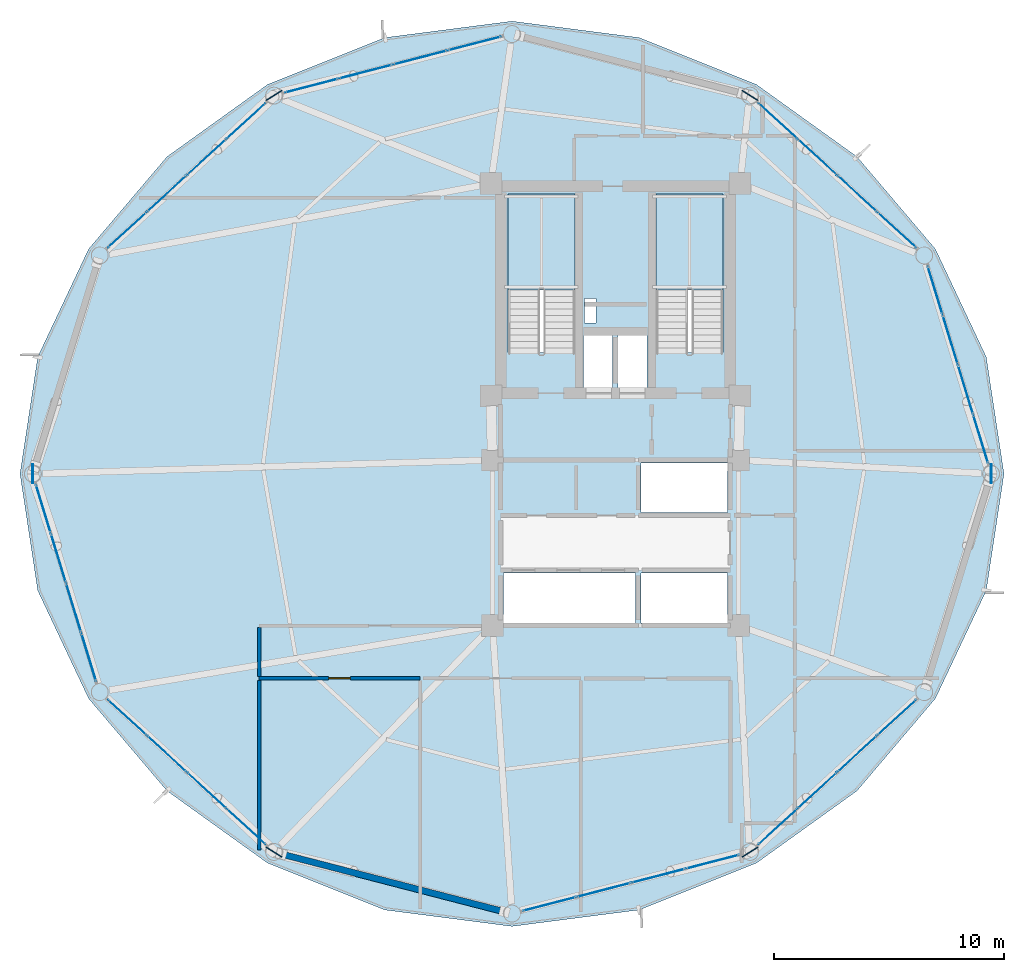
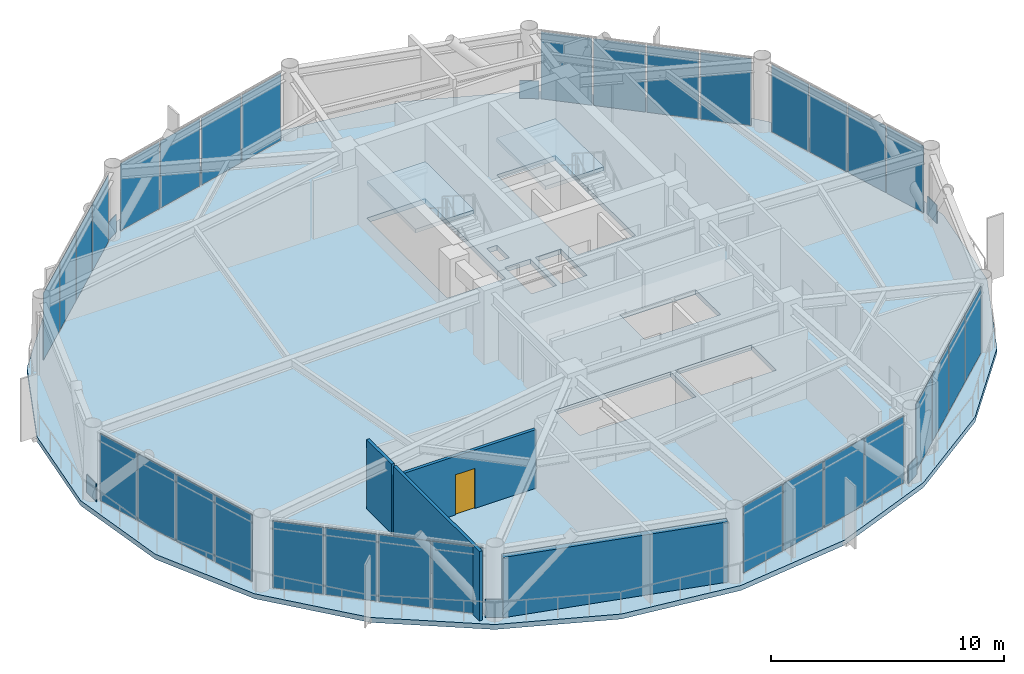
# One storey, part 20 of 25: 38 plates, 4 walls, 3 slabs, 1 door, 1 opening, 10 elements without a shape of their own.
"""IFC4 building model written with IfcOpenShell, lengths in metres."""

from ifc_helpers import new_model, si_unit, direction, frame, frame_2d, origin, origin_2d, place, context, subcontext, project, spatial, polyline, rectangle, outline, extrude, source, transform, mapped, material, layer, layer_set, type_object, type_shapes, element, fill, aggregate, save


model = new_model("IFC4")

# Units and contexts
model_context = context("Model", 3, precision=1e-05, world=origin(), true_north=direction((0.0, 1.0)))
body_context = subcontext(model_context, "Body", "Model", "MODEL_VIEW")
ifc_project = project(units=[si_unit("LENGTHUNIT", "METRE"), si_unit("AREAUNIT", "SQUARE_METRE"), si_unit("VOLUMEUNIT", "CUBIC_METRE"), si_unit("PLANEANGLEUNIT", "RADIAN"), si_unit("MASSUNIT", "GRAM", prefix="KILO")], contexts=[model_context])

# Site, building, storey
site_placement = place(None, origin())
site = spatial("IfcSite", under=ifc_project, at=site_placement, CompositionType="ELEMENT")
building_placement = place(site_placement, origin())
building = spatial("IfcBuilding", under=site, at=building_placement, Name="Varnakorn Sky Granary", CompositionType="ELEMENT")
storey_placement = place(building_placement, frame((0.0, 0.0, 146.10009765625)))
storey = spatial("IfcBuildingStorey", under=building, at=storey_placement, Name="L36", CompositionType="ELEMENT", Elevation=146.10009765625)

# Plates
ifc_material_1 = material(Name="Steel S460M", Category="steel")
ifc_layer_1 = layer(ifc_material_1, 0.0380859375, Name="Steel S460M")
ifc_layer_set_1 = layer_set([ifc_layer_1], Name="Steel S460M")
plate_type_1 = type_object("IfcPlateType", Name="PL-NODE-KN3", PredefinedType="SHEET", material=ifc_layer_set_1)
for number, where, z_axis, x_axis, name in (
    (1, (19.35009765625, 0.0, 0.0), (0.0, 0.0, 1.0), (0.0, 1.0, 0.0), "Diagrid Node Gusset Assembly KN3 L36-1"),
    (2, (8.857421875, 16.455322265625, 0.0), (0.0, 0.0, 1.0), (-0.846308068036, 0.532693771296, 0.0), "Diagrid Node Gusset Assembly KN3 L36-3"),
    (3, (-11.857421875, 16.455322265625, 0.0), (0.0, 0.0, 1.0), (-0.846308068036, -0.532693771296, 0.0), "Diagrid Node Gusset Assembly KN3 L36-5"),
    (4, (-22.35009765625, 0.0, 0.0), (0.0, 0.0, 1.0), (0.0, -1.0, 0.0), "Diagrid Node Gusset Assembly KN3 L36-7"),
    (5, (-11.857421875, -16.455322265625, 0.0), (0.0, 0.0, 1.0), (0.846308068036, -0.532693771296, 0.0), "Diagrid Node Gusset Assembly KN3 L36-9"),
    (6, (8.857421875, -16.455322265625, 0.0), (0.0, 0.0, 1.0), (0.846308068036, 0.532693771296, 0.0), "Diagrid Node Gusset Assembly KN3 L36-11"),
):
    element("IfcPlate", number, at=place(storey_placement, frame(where, z_axis=z_axis, x_axis=x_axis)), inside=storey, type_object=plate_type_1, Name=name, PredefinedType="SHEET", context=body_context, shape_type="SweptSolid", body=[
        extrude(rectangle(XDim=0.820068359375, YDim=0.0380859375, at=origin_2d()), origin(), (0.0, 0.0, 1.0), 0.93994140625),
    ])

# Stair, slab
ifc_material_2 = material(Name="Concrete C40/50", Category="concrete")
stair_type = type_object("IfcStairType", Name="ST-MAIN-ASSEMBLY", PredefinedType="HALF_TURN_STAIR", material=ifc_material_2)
stair_1_placement = place(storey_placement, origin())
stair_1 = element("IfcStair", 7, at=stair_1_placement, inside=storey, type_object=stair_type, Name="L36 Protected Exit Stair ST-1", PredefinedType="HALF_TURN_STAIR")
ifc_layer_2 = layer(ifc_material_2, 0.199951171875, Name="Concrete C40/50")
ifc_layer_set_2 = layer_set([ifc_layer_2], Name="Concrete C40/50")
slab_type_1 = type_object("IfcSlabType", Name="ST-MAIN-LAND", PredefinedType="LANDING", material=ifc_layer_set_2)
slab_1_placement = place(storey_placement, frame((0.0, 0.0, 1.75)))
slab_1 = element("IfcSlab", 8, at=slab_1_placement, type_object=slab_type_1, Name="ST-1 landing 1", PredefinedType="LANDING", context=body_context, shape_type="SweptSolid", body=[
    extrude(outline(polyline([(1.239990234375, 8.0), (1.239990234375, 12.179931640625), (-1.669921875, 12.179931640625), (-1.669921875, 8.0), (1.239990234375, 8.0)])), origin(), (0.0, 0.0, 1.0), 0.199951171875),
])
aggregate(stair_1, [slab_1])

stair_2_placement = place(storey_placement, origin())
stair_2 = element("IfcStair", 9, at=stair_2_placement, inside=storey, type_object=stair_type, Name="L36 Protected Exit Stair ST-2", PredefinedType="HALF_TURN_STAIR")
slab_2_placement = place(storey_placement, frame((0.0, 0.0, 1.75)))
slab_2 = element("IfcSlab", 10, at=slab_2_placement, type_object=slab_type_1, Name="ST-2 landing 1", PredefinedType="LANDING", context=body_context, shape_type="SweptSolid", body=[
    extrude(outline(polyline([(7.679931640625, 8.0), (7.679931640625, 12.179931640625), (4.77001953125, 12.179931640625), (4.77001953125, 8.0), (7.679931640625, 8.0)])), origin(), (0.0, 0.0, 1.0), 0.199951171875),
])
aggregate(stair_2, [slab_2])

# Slab
ifc_material_3 = material(Name="Concrete C50/60", Category="concrete")
ifc_layer_3 = layer(ifc_material_3, 0.260009765625, Name="Concrete C50/60")
ifc_layer_set_3 = layer_set([ifc_layer_3], Name="Concrete C50/60")
slab_type_2 = type_object("IfcSlabType", Name="ST-SL-TWR-260", PredefinedType="FLOOR", material=ifc_layer_set_3)
slab_3_placement = place(storey_placement, frame((0.0, 0.0, -0.260009765625)))
element("IfcSlab", 11, at=slab_3_placement, inside=storey, type_object=slab_type_2, Name="Level L36 Structural Floor Slab", PredefinedType="FLOOR", context=body_context, shape_type="SweptSolid", body=[
    extrude(outline(polyline([(19.89990234375, 0.0), (19.127197265625, 5.08349609375), (16.916015625, 9.775390625), (13.5048828125, 13.792724609375), (9.132568359375, 16.931640625), (4.027099609375, 18.9716796875), (-1.5, 19.68603515625), (-7.027099609375, 18.9716796875), (-12.132568359375, 16.931640625), (-16.5048828125, 13.792724609375), (-19.916015625, 9.775390625), (-22.127197265625, 5.08349609375), (-22.89990234375, 0.0), (-22.127197265625, -5.08349609375), (-19.916015625, -9.775390625), (-16.5048828125, -13.792724609375), (-12.132568359375, -16.931640625), (-7.027099609375, -18.9716796875), (-1.5, -19.68603515625), (4.027099609375, -18.9716796875), (9.132568359375, -16.931640625), (13.5048828125, -13.792724609375), (16.916015625, -9.775390625), (19.127197265625, -5.08349609375), (19.89990234375, 0.0)]), holes=[polyline([(1.239990234375, 5.27490234375), (1.239990234375, 12.179931640625), (-1.669921875, 12.179931640625), (-1.669921875, 5.27490234375), (1.239990234375, 5.27490234375)]), polyline([(7.679931640625, 5.27490234375), (7.679931640625, 12.179931640625), (4.77001953125, 12.179931640625), (4.77001953125, 5.27490234375), (7.679931640625, 5.27490234375)]), polyline([(1.659912109375, 6.550048828125), (2.14990234375, 6.550048828125), (2.14990234375, 7.6201171875), (1.659912109375, 7.6201171875), (1.659912109375, 6.550048828125)]), polyline([(1.6201171875, 3.739990234375), (2.8798828125, 3.739990234375), (2.8798828125, 6.010009765625), (1.6201171875, 6.010009765625), (1.6201171875, 3.739990234375)]), polyline([(3.1201171875, 3.739990234375), (4.3798828125, 3.739990234375), (4.3798828125, 6.010009765625), (3.1201171875, 6.010009765625), (3.1201171875, 3.739990234375)]), polyline([(4.1201171875, -1.679931640625), (7.8798828125, -1.679931640625), (7.8798828125, 0.47998046875), (4.1201171875, 0.47998046875), (4.1201171875, -1.679931640625)]), polyline([(-1.8798828125, -6.47998046875), (3.8798828125, -6.47998046875), (3.8798828125, -4.320068359375), (-1.8798828125, -4.320068359375), (-1.8798828125, -6.47998046875)]), polyline([(4.1201171875, -6.47998046875), (7.8798828125, -6.47998046875), (7.8798828125, -4.320068359375), (4.1201171875, -4.320068359375), (4.1201171875, -6.47998046875)])]), origin(), (0.0, 0.0, 1.0), 0.260009765625),
])

# Curtain wall, plates
ifc_material_4 = material(Name="Anodised Bronze Aluminium Alloy 6063-T6", Category="aluminium")
ifc_layer_4 = layer(ifc_material_4, 0.179931640625, Name="Anodised Bronze Aluminium Alloy 6063-T6")
ifc_layer_set_4 = layer_set([ifc_layer_4], Name="Anodised Bronze Aluminium Alloy 6063-T6")
curtain_wall_type = type_object("IfcCurtainWallType", Name="CW-FRM-2", PredefinedType="USERDEFINED", material=ifc_layer_set_4)
curtain_wall_1_placement = place(storey_placement, origin())
curtain_wall_1 = element("IfcCurtainWall", 12, at=curtain_wall_1_placement, inside=storey, type_object=curtain_wall_type, Name="Unitised Curtain Wall CW4 CW-L36-B01", ObjectType="CURTAIN WALL", PredefinedType="USERDEFINED")
ifc_material_5 = material(Name="Low-E Tinted Laminated Glass", Category="glass")
ifc_layer_5 = layer(ifc_material_5, 0.02587890625, Name="Low-E Tinted Laminated Glass")
ifc_layer_set_5 = layer_set([ifc_layer_5], Name="Low-E Tinted Laminated Glass")
plate_type_2 = type_object("IfcPlateType", Name="CW-FRM-2-PNL", PredefinedType="CURTAIN_PANEL")
shared_shape_1 = source(origin(), body_context, "Body", "SweptSolid", [
    extrude(rectangle(XDim=2.158447265625, YDim=0.02587890625, at=origin_2d()), origin(), (0.0, 0.0, 1.0), 3.510009765625),
])
plate_1_placement = place(storey_placement, frame((16.905517578125, 7.97998046875, 0.06494140625), z_axis=(0.0, 0.0, 1.0), x_axis=(0.29289273925, -0.956145304488, 0.0)))
plate_1 = element("IfcPlate", 13, at=plate_1_placement, type_object=plate_type_2, material=ifc_layer_set_5, Name="CW4 vision glazing unit 1.1", PredefinedType="CURTAIN_PANEL", context=body_context, shape_type="MappedRepresentation", body=[
    mapped(shared_shape_1, transform((0.0, 0.0, 0.0), x_axis=(1.0, 0.0, 0.0), y_axis=(0.0, 1.0, 0.0), z_axis=(0.0, 0.0, 1.0), scale=1.0)),
])
ifc_material_6 = material(Name="Opaque Insulated Aluminium Shadow-Box Unit", Category="aluminium")
ifc_layer_6 = layer(ifc_material_6, 0.02587890625, Name="Opaque Insulated Aluminium Shadow-Box Unit")
ifc_layer_set_6 = layer_set([ifc_layer_6], Name="Opaque Insulated Aluminium Shadow-Box Unit")
plate_2_placement = place(storey_placement, frame((18.88427734375, 1.5205078125, 0.06494140625), z_axis=(0.0, 0.0, 1.0), x_axis=(0.29289273925, -0.956145304488, 0.0)))
plate_2 = element("IfcPlate", 14, at=plate_2_placement, type_object=plate_type_2, material=ifc_layer_set_6, Name="CW4 opaque insulated shadow-box unit 4.1", PredefinedType="CURTAIN_PANEL", context=body_context, shape_type="MappedRepresentation", body=[
    mapped(shared_shape_1, transform((0.0, 0.0, 0.0), x_axis=(1.0, 0.0, 0.0), y_axis=(0.0, 1.0, 0.0), z_axis=(0.0, 0.0, 1.0), scale=1.0)),
])

curtain_wall_2_placement = place(storey_placement, origin())
curtain_wall_2 = element("IfcCurtainWall", 15, at=curtain_wall_2_placement, inside=storey, type_object=curtain_wall_type, Name="Unitised Curtain Wall CW4 CW-L36-B07", ObjectType="CURTAIN WALL", PredefinedType="USERDEFINED")
plate_3_placement = place(storey_placement, frame((-19.905517578125, -7.97998046875, 0.06494140625), z_axis=(0.0, 0.0, 1.0), x_axis=(-0.29289273925, 0.956145304488, 0.0)))
plate_3 = element("IfcPlate", 16, at=plate_3_placement, type_object=plate_type_2, material=ifc_layer_set_5, Name="CW4 vision glazing unit 1.1", PredefinedType="CURTAIN_PANEL", context=body_context, shape_type="MappedRepresentation", body=[
    mapped(shared_shape_1, transform((0.0, 0.0, 0.0), x_axis=(1.0, 0.0, 0.0), y_axis=(0.0, 1.0, 0.0), z_axis=(0.0, 0.0, 1.0), scale=1.0)),
])
plate_4_placement = place(storey_placement, frame((-21.88427734375, -1.5205078125, 0.06494140625), z_axis=(0.0, 0.0, 1.0), x_axis=(-0.29289273925, 0.956145304488, 0.0)))
plate_4 = element("IfcPlate", 17, at=plate_4_placement, type_object=plate_type_2, material=ifc_layer_set_6, Name="CW4 opaque insulated shadow-box unit 4.1", PredefinedType="CURTAIN_PANEL", context=body_context, shape_type="MappedRepresentation", body=[
    mapped(shared_shape_1, transform((0.0, 0.0, 0.0), x_axis=(1.0, 0.0, 0.0), y_axis=(0.0, 1.0, 0.0), z_axis=(0.0, 0.0, 1.0), scale=1.0)),
])

# Plate
shared_shape_2 = source(origin(), body_context, "Body", "SweptSolid", [
    extrude(rectangle(XDim=2.193603515625, YDim=0.02587890625, at=origin_2d()), origin(), (0.0, 0.0, 1.0), 3.510009765625),
])
plate_5_placement = place(storey_placement, frame((17.5634765625, 5.832275390625, 0.06494140625), z_axis=(0.0, 0.0, 1.0), x_axis=(0.29289273925, -0.956145304488, 0.0)))
plate_5 = element("IfcPlate", 18, at=plate_5_placement, type_object=plate_type_2, material=ifc_layer_set_5, Name="CW4 vision glazing unit 2.1", PredefinedType="CURTAIN_PANEL", context=body_context, shape_type="MappedRepresentation", body=[
    mapped(shared_shape_2, transform((0.0, 0.0, 0.0), x_axis=(1.0, 0.0, 0.0), y_axis=(0.0, 1.0, 0.0), z_axis=(0.0, 0.0, 1.0), scale=1.0)),
])

plate_6_placement = place(storey_placement, frame((18.226318359375, 3.668212890625, 0.06494140625), z_axis=(0.0, 0.0, 1.0), x_axis=(0.29289273925, -0.956145304488, 0.0)))
plate_6 = element("IfcPlate", 19, at=plate_6_placement, type_object=plate_type_2, material=ifc_layer_set_6, Name="CW4 opaque insulated shadow-box unit 3.1", PredefinedType="CURTAIN_PANEL", context=body_context, shape_type="MappedRepresentation", body=[
    mapped(shared_shape_2, transform((0.0, 0.0, 0.0), x_axis=(1.0, 0.0, 0.0), y_axis=(0.0, 1.0, 0.0), z_axis=(0.0, 0.0, 1.0), scale=1.0)),
])

aggregate(curtain_wall_1, [plate_1, plate_5, plate_6, plate_2])

plate_7_placement = place(storey_placement, frame((-20.5634765625, -5.832275390625, 0.06494140625), z_axis=(0.0, 0.0, 1.0), x_axis=(-0.29289273925, 0.956145304488, 0.0)))
plate_7 = element("IfcPlate", 20, at=plate_7_placement, type_object=plate_type_2, material=ifc_layer_set_5, Name="CW4 vision glazing unit 2.1", PredefinedType="CURTAIN_PANEL", context=body_context, shape_type="MappedRepresentation", body=[
    mapped(shared_shape_2, transform((0.0, 0.0, 0.0), x_axis=(1.0, 0.0, 0.0), y_axis=(0.0, 1.0, 0.0), z_axis=(0.0, 0.0, 1.0), scale=1.0)),
])

plate_8_placement = place(storey_placement, frame((-21.226318359375, -3.668212890625, 0.06494140625), z_axis=(0.0, 0.0, 1.0), x_axis=(-0.29289273925, 0.956145304488, 0.0)))
plate_8 = element("IfcPlate", 21, at=plate_8_placement, type_object=plate_type_2, material=ifc_layer_set_6, Name="CW4 opaque insulated shadow-box unit 3.1", PredefinedType="CURTAIN_PANEL", context=body_context, shape_type="MappedRepresentation", body=[
    mapped(shared_shape_2, transform((0.0, 0.0, 0.0), x_axis=(1.0, 0.0, 0.0), y_axis=(0.0, 1.0, 0.0), z_axis=(0.0, 0.0, 1.0), scale=1.0)),
])

aggregate(curtain_wall_2, [plate_3, plate_7, plate_8, plate_4])

# Curtain wall, plates
curtain_wall_3_placement = place(storey_placement, origin())
curtain_wall_3 = element("IfcCurtainWall", 22, at=curtain_wall_3_placement, inside=storey, type_object=curtain_wall_type, Name="Unitised Curtain Wall CW4 CW-L36-B02", ObjectType="CURTAIN WALL", PredefinedType="USERDEFINED")
shared_shape_3 = source(origin(), body_context, "Body", "SweptSolid", [
    extrude(rectangle(XDim=2.24658203125, YDim=0.02587890625, at=origin_2d()), origin(), (0.0, 0.0, 1.0), 3.510009765625),
])
plate_9_placement = place(storey_placement, frame((10.06201171875, 15.3505859375, 0.06494140625), z_axis=(0.0, 0.0, 1.0), x_axis=(0.736937879069, -0.675960473988, 0.0)))
plate_9 = element("IfcPlate", 23, at=plate_9_placement, type_object=plate_type_2, material=ifc_layer_set_6, Name="CW4 opaque insulated shadow-box unit 1.1", PredefinedType="CURTAIN_PANEL", context=body_context, shape_type="MappedRepresentation", body=[
    mapped(shared_shape_3, transform((0.0, 0.0, 0.0), x_axis=(1.0, 0.0, 0.0), y_axis=(0.0, 1.0, 0.0), z_axis=(0.0, 0.0, 1.0), scale=1.0)),
])
plate_10_placement = place(storey_placement, frame((15.2353515625, 10.605224609375, 0.06494140625), z_axis=(0.0, 0.0, 1.0), x_axis=(0.736937879069, -0.675960473988, 0.0)))
plate_10 = element("IfcPlate", 24, at=plate_10_placement, type_object=plate_type_2, material=ifc_layer_set_5, Name="CW4 vision glazing unit 4.1", PredefinedType="CURTAIN_PANEL", context=body_context, shape_type="MappedRepresentation", body=[
    mapped(shared_shape_3, transform((0.0, 0.0, 0.0), x_axis=(1.0, 0.0, 0.0), y_axis=(0.0, 1.0, 0.0), z_axis=(0.0, 0.0, 1.0), scale=1.0)),
])

curtain_wall_4_placement = place(storey_placement, origin())
curtain_wall_4 = element("IfcCurtainWall", 25, at=curtain_wall_4_placement, inside=storey, type_object=curtain_wall_type, Name="Unitised Curtain Wall CW4 CW-L36-B05", ObjectType="CURTAIN WALL", PredefinedType="USERDEFINED")
plate_11_placement = place(storey_placement, frame((-18.2353515625, 10.605224609375, 0.06494140625), z_axis=(0.0, 0.0, 1.0), x_axis=(0.736937879069, 0.675960473988, 0.0)))
plate_11 = element("IfcPlate", 26, at=plate_11_placement, type_object=plate_type_2, material=ifc_layer_set_5, Name="CW4 vision glazing unit 1.1", PredefinedType="CURTAIN_PANEL", context=body_context, shape_type="MappedRepresentation", body=[
    mapped(shared_shape_3, transform((0.0, 0.0, 0.0), x_axis=(1.0, 0.0, 0.0), y_axis=(0.0, 1.0, 0.0), z_axis=(0.0, 0.0, 1.0), scale=1.0)),
])
plate_12_placement = place(storey_placement, frame((-13.06201171875, 15.3505859375, 0.06494140625), z_axis=(0.0, 0.0, 1.0), x_axis=(0.736937879069, 0.675960473988, 0.0)))
plate_12 = element("IfcPlate", 27, at=plate_12_placement, type_object=plate_type_2, material=ifc_layer_set_6, Name="CW4 opaque insulated shadow-box unit 4.1", PredefinedType="CURTAIN_PANEL", context=body_context, shape_type="MappedRepresentation", body=[
    mapped(shared_shape_3, transform((0.0, 0.0, 0.0), x_axis=(1.0, 0.0, 0.0), y_axis=(0.0, 1.0, 0.0), z_axis=(0.0, 0.0, 1.0), scale=1.0)),
])

curtain_wall_5_placement = place(storey_placement, origin())
curtain_wall_5 = element("IfcCurtainWall", 28, at=curtain_wall_5_placement, inside=storey, type_object=curtain_wall_type, Name="Unitised Curtain Wall CW4 CW-L36-B08", ObjectType="CURTAIN WALL", PredefinedType="USERDEFINED")
plate_13_placement = place(storey_placement, frame((-13.06201171875, -15.3505859375, 0.06494140625), z_axis=(0.0, 0.0, 1.0), x_axis=(-0.736937879069, 0.675960473988, 0.0)))
plate_13 = element("IfcPlate", 29, at=plate_13_placement, type_object=plate_type_2, material=ifc_layer_set_6, Name="CW4 opaque insulated shadow-box unit 1.1", PredefinedType="CURTAIN_PANEL", context=body_context, shape_type="MappedRepresentation", body=[
    mapped(shared_shape_3, transform((0.0, 0.0, 0.0), x_axis=(1.0, 0.0, 0.0), y_axis=(0.0, 1.0, 0.0), z_axis=(0.0, 0.0, 1.0), scale=1.0)),
])
plate_14_placement = place(storey_placement, frame((-18.2353515625, -10.605224609375, 0.06494140625), z_axis=(0.0, 0.0, 1.0), x_axis=(-0.736937879069, 0.675960473988, 0.0)))
plate_14 = element("IfcPlate", 30, at=plate_14_placement, type_object=plate_type_2, material=ifc_layer_set_5, Name="CW4 vision glazing unit 4.1", PredefinedType="CURTAIN_PANEL", context=body_context, shape_type="MappedRepresentation", body=[
    mapped(shared_shape_3, transform((0.0, 0.0, 0.0), x_axis=(1.0, 0.0, 0.0), y_axis=(0.0, 1.0, 0.0), z_axis=(0.0, 0.0, 1.0), scale=1.0)),
])

curtain_wall_6_placement = place(storey_placement, origin())
curtain_wall_6 = element("IfcCurtainWall", 31, at=curtain_wall_6_placement, inside=storey, type_object=curtain_wall_type, Name="Unitised Curtain Wall CW4 CW-L36-B11", ObjectType="CURTAIN WALL", PredefinedType="USERDEFINED")
plate_15_placement = place(storey_placement, frame((15.2353515625, -10.605224609375, 0.06494140625), z_axis=(0.0, 0.0, 1.0), x_axis=(-0.736937879069, -0.675960473988, 0.0)))
plate_15 = element("IfcPlate", 32, at=plate_15_placement, type_object=plate_type_2, material=ifc_layer_set_5, Name="CW4 vision glazing unit 1.1", PredefinedType="CURTAIN_PANEL", context=body_context, shape_type="MappedRepresentation", body=[
    mapped(shared_shape_3, transform((0.0, 0.0, 0.0), x_axis=(1.0, 0.0, 0.0), y_axis=(0.0, 1.0, 0.0), z_axis=(0.0, 0.0, 1.0), scale=1.0)),
])
plate_16_placement = place(storey_placement, frame((10.06201171875, -15.3505859375, 0.06494140625), z_axis=(0.0, 0.0, 1.0), x_axis=(-0.736937879069, -0.675960473988, 0.0)))
plate_16 = element("IfcPlate", 33, at=plate_16_placement, type_object=plate_type_2, material=ifc_layer_set_6, Name="CW4 opaque insulated shadow-box unit 4.1", PredefinedType="CURTAIN_PANEL", context=body_context, shape_type="MappedRepresentation", body=[
    mapped(shared_shape_3, transform((0.0, 0.0, 0.0), x_axis=(1.0, 0.0, 0.0), y_axis=(0.0, 1.0, 0.0), z_axis=(0.0, 0.0, 1.0), scale=1.0)),
])

# Plate
shared_shape_4 = source(origin(), body_context, "Body", "SweptSolid", [
    extrude(rectangle(XDim=2.28173828125, YDim=0.02587890625, at=origin_2d()), origin(), (0.0, 0.0, 1.0), 3.510009765625),
])
plate_17_placement = place(storey_placement, frame((11.781982421875, 13.772705078125, 0.06494140625), z_axis=(0.0, 0.0, 1.0), x_axis=(0.736937879069, -0.675960473988, 0.0)))
plate_17 = element("IfcPlate", 34, at=plate_17_placement, type_object=plate_type_2, material=ifc_layer_set_6, Name="CW4 opaque insulated shadow-box unit 2.1", PredefinedType="CURTAIN_PANEL", context=body_context, shape_type="MappedRepresentation", body=[
    mapped(shared_shape_4, transform((0.0, 0.0, 0.0), x_axis=(1.0, 0.0, 0.0), y_axis=(0.0, 1.0, 0.0), z_axis=(0.0, 0.0, 1.0), scale=1.0)),
])

plate_18_placement = place(storey_placement, frame((13.51513671875, 12.18310546875, 0.06494140625), z_axis=(0.0, 0.0, 1.0), x_axis=(0.736937879069, -0.675960473988, 0.0)))
plate_18 = element("IfcPlate", 35, at=plate_18_placement, type_object=plate_type_2, material=ifc_layer_set_5, Name="CW4 vision glazing unit 3.1", PredefinedType="CURTAIN_PANEL", context=body_context, shape_type="MappedRepresentation", body=[
    mapped(shared_shape_4, transform((0.0, 0.0, 0.0), x_axis=(1.0, 0.0, 0.0), y_axis=(0.0, 1.0, 0.0), z_axis=(0.0, 0.0, 1.0), scale=1.0)),
])

aggregate(curtain_wall_3, [plate_9, plate_17, plate_18, plate_10])

plate_19_placement = place(storey_placement, frame((-16.51513671875, 12.18310546875, 0.06494140625), z_axis=(0.0, 0.0, 1.0), x_axis=(0.736937879069, 0.675960473988, 0.0)))
plate_19 = element("IfcPlate", 36, at=plate_19_placement, type_object=plate_type_2, material=ifc_layer_set_5, Name="CW4 vision glazing unit 2.1", PredefinedType="CURTAIN_PANEL", context=body_context, shape_type="MappedRepresentation", body=[
    mapped(shared_shape_4, transform((0.0, 0.0, 0.0), x_axis=(1.0, 0.0, 0.0), y_axis=(0.0, 1.0, 0.0), z_axis=(0.0, 0.0, 1.0), scale=1.0)),
])

plate_20_placement = place(storey_placement, frame((-14.781982421875, 13.772705078125, 0.06494140625), z_axis=(0.0, 0.0, 1.0), x_axis=(0.736937879069, 0.675960473988, 0.0)))
plate_20 = element("IfcPlate", 37, at=plate_20_placement, type_object=plate_type_2, material=ifc_layer_set_6, Name="CW4 opaque insulated shadow-box unit 3.1", PredefinedType="CURTAIN_PANEL", context=body_context, shape_type="MappedRepresentation", body=[
    mapped(shared_shape_4, transform((0.0, 0.0, 0.0), x_axis=(1.0, 0.0, 0.0), y_axis=(0.0, 1.0, 0.0), z_axis=(0.0, 0.0, 1.0), scale=1.0)),
])

aggregate(curtain_wall_4, [plate_11, plate_19, plate_20, plate_12])

plate_21_placement = place(storey_placement, frame((-14.781982421875, -13.772705078125, 0.06494140625), z_axis=(0.0, 0.0, 1.0), x_axis=(-0.736937879069, 0.675960473988, 0.0)))
plate_21 = element("IfcPlate", 38, at=plate_21_placement, type_object=plate_type_2, material=ifc_layer_set_6, Name="CW4 opaque insulated shadow-box unit 2.1", PredefinedType="CURTAIN_PANEL", context=body_context, shape_type="MappedRepresentation", body=[
    mapped(shared_shape_4, transform((0.0, 0.0, 0.0), x_axis=(1.0, 0.0, 0.0), y_axis=(0.0, 1.0, 0.0), z_axis=(0.0, 0.0, 1.0), scale=1.0)),
])

plate_22_placement = place(storey_placement, frame((-16.51513671875, -12.18310546875, 0.06494140625), z_axis=(0.0, 0.0, 1.0), x_axis=(-0.736937879069, 0.675960473988, 0.0)))
plate_22 = element("IfcPlate", 39, at=plate_22_placement, type_object=plate_type_2, material=ifc_layer_set_5, Name="CW4 vision glazing unit 3.1", PredefinedType="CURTAIN_PANEL", context=body_context, shape_type="MappedRepresentation", body=[
    mapped(shared_shape_4, transform((0.0, 0.0, 0.0), x_axis=(1.0, 0.0, 0.0), y_axis=(0.0, 1.0, 0.0), z_axis=(0.0, 0.0, 1.0), scale=1.0)),
])

aggregate(curtain_wall_5, [plate_13, plate_21, plate_22, plate_14])

plate_23_placement = place(storey_placement, frame((13.51513671875, -12.18310546875, 0.06494140625), z_axis=(0.0, 0.0, 1.0), x_axis=(-0.736937879069, -0.675960473988, 0.0)))
plate_23 = element("IfcPlate", 40, at=plate_23_placement, type_object=plate_type_2, material=ifc_layer_set_5, Name="CW4 vision glazing unit 2.1", PredefinedType="CURTAIN_PANEL", context=body_context, shape_type="MappedRepresentation", body=[
    mapped(shared_shape_4, transform((0.0, 0.0, 0.0), x_axis=(1.0, 0.0, 0.0), y_axis=(0.0, 1.0, 0.0), z_axis=(0.0, 0.0, 1.0), scale=1.0)),
])

plate_24_placement = place(storey_placement, frame((11.781982421875, -13.772705078125, 0.06494140625), z_axis=(0.0, 0.0, 1.0), x_axis=(-0.736937879069, -0.675960473988, 0.0)))
plate_24 = element("IfcPlate", 41, at=plate_24_placement, type_object=plate_type_2, material=ifc_layer_set_6, Name="CW4 opaque insulated shadow-box unit 3.1", PredefinedType="CURTAIN_PANEL", context=body_context, shape_type="MappedRepresentation", body=[
    mapped(shared_shape_4, transform((0.0, 0.0, 0.0), x_axis=(1.0, 0.0, 0.0), y_axis=(0.0, 1.0, 0.0), z_axis=(0.0, 0.0, 1.0), scale=1.0)),
])

aggregate(curtain_wall_6, [plate_15, plate_23, plate_24, plate_16])

# Curtain wall, plates
curtain_wall_7_placement = place(storey_placement, origin())
curtain_wall_7 = element("IfcCurtainWall", 42, at=curtain_wall_7_placement, inside=storey, type_object=curtain_wall_type, Name="Unitised Curtain Wall CW4 CW-L36-B04", ObjectType="CURTAIN WALL", PredefinedType="USERDEFINED")
shared_shape_5 = source(origin(), body_context, "Body", "SweptSolid", [
    extrude(rectangle(XDim=2.34912109375, YDim=0.02587890625, at=origin_2d()), origin(), (0.0, 0.0, 1.0), 3.510009765625),
])
plate_25_placement = place(storey_placement, frame((-10.2255859375, 16.877685546875, 0.06494140625), z_axis=(0.0, 0.0, 1.0), x_axis=(0.968101298653, 0.250559125851, 0.0)))
plate_25 = element("IfcPlate", 43, at=plate_25_placement, type_object=plate_type_2, material=ifc_layer_set_6, Name="CW4 opaque insulated shadow-box unit 1.1", PredefinedType="CURTAIN_PANEL", context=body_context, shape_type="MappedRepresentation", body=[
    mapped(shared_shape_5, transform((0.0, 0.0, 0.0), x_axis=(1.0, 0.0, 0.0), y_axis=(0.0, 1.0, 0.0), z_axis=(0.0, 0.0, 1.0), scale=1.0)),
])
plate_26_placement = place(storey_placement, frame((-3.1318359375, 18.713623046875, 0.06494140625), z_axis=(0.0, 0.0, 1.0), x_axis=(0.968101298653, 0.250559125851, 0.0)))
plate_26 = element("IfcPlate", 44, at=plate_26_placement, type_object=plate_type_2, material=ifc_layer_set_5, Name="CW4 vision glazing unit 4.1", PredefinedType="CURTAIN_PANEL", context=body_context, shape_type="MappedRepresentation", body=[
    mapped(shared_shape_5, transform((0.0, 0.0, 0.0), x_axis=(1.0, 0.0, 0.0), y_axis=(0.0, 1.0, 0.0), z_axis=(0.0, 0.0, 1.0), scale=1.0)),
])

curtain_wall_8_placement = place(storey_placement, origin())
curtain_wall_8 = element("IfcCurtainWall", 45, at=curtain_wall_8_placement, inside=storey, type_object=curtain_wall_type, Name="Unitised Curtain Wall CW4 CW-L36-B10", ObjectType="CURTAIN WALL", PredefinedType="USERDEFINED")
plate_27_placement = place(storey_placement, frame((7.2255859375, -16.877685546875, 0.06494140625), z_axis=(0.0, 0.0, 1.0), x_axis=(-0.968101298653, -0.250559125851, 0.0)))
plate_27 = element("IfcPlate", 46, at=plate_27_placement, type_object=plate_type_2, material=ifc_layer_set_6, Name="CW4 opaque insulated shadow-box unit 1.1", PredefinedType="CURTAIN_PANEL", context=body_context, shape_type="MappedRepresentation", body=[
    mapped(shared_shape_5, transform((0.0, 0.0, 0.0), x_axis=(1.0, 0.0, 0.0), y_axis=(0.0, 1.0, 0.0), z_axis=(0.0, 0.0, 1.0), scale=1.0)),
])
plate_28_placement = place(storey_placement, frame((0.1318359375, -18.713623046875, 0.06494140625), z_axis=(0.0, 0.0, 1.0), x_axis=(-0.968101298653, -0.250559125851, 0.0)))
plate_28 = element("IfcPlate", 47, at=plate_28_placement, type_object=plate_type_2, material=ifc_layer_set_5, Name="CW4 vision glazing unit 4.1", PredefinedType="CURTAIN_PANEL", context=body_context, shape_type="MappedRepresentation", body=[
    mapped(shared_shape_5, transform((0.0, 0.0, 0.0), x_axis=(1.0, 0.0, 0.0), y_axis=(0.0, 1.0, 0.0), z_axis=(0.0, 0.0, 1.0), scale=1.0)),
])

# Plate
shared_shape_6 = source(origin(), body_context, "Body", "SweptSolid", [
    extrude(rectangle(XDim=2.38427734375, YDim=0.02587890625, at=origin_2d()), origin(), (0.0, 0.0, 1.0), 3.510009765625),
])
type_shapes(plate_type_2, [shared_shape_1, shared_shape_2, shared_shape_3, shared_shape_4, shared_shape_5, shared_shape_6])
plate_29_placement = place(storey_placement, frame((-7.86669921875, 17.48828125, 0.06494140625), z_axis=(0.0, 0.0, 1.0), x_axis=(0.968101298653, 0.250559125851, 0.0)))
plate_29 = element("IfcPlate", 48, at=plate_29_placement, type_object=plate_type_2, material=ifc_layer_set_6, Name="CW4 opaque insulated shadow-box unit 2.1", PredefinedType="CURTAIN_PANEL", context=body_context, shape_type="MappedRepresentation", body=[
    mapped(shared_shape_6, transform((0.0, 0.0, 0.0), x_axis=(1.0, 0.0, 0.0), y_axis=(0.0, 1.0, 0.0), z_axis=(0.0, 0.0, 1.0), scale=1.0)),
])

plate_30_placement = place(storey_placement, frame((-5.49072265625, 18.10302734375, 0.06494140625), z_axis=(0.0, 0.0, 1.0), x_axis=(0.968101298653, 0.250559125851, 0.0)))
plate_30 = element("IfcPlate", 49, at=plate_30_placement, type_object=plate_type_2, material=ifc_layer_set_5, Name="CW4 vision glazing unit 3.1", PredefinedType="CURTAIN_PANEL", context=body_context, shape_type="MappedRepresentation", body=[
    mapped(shared_shape_6, transform((0.0, 0.0, 0.0), x_axis=(1.0, 0.0, 0.0), y_axis=(0.0, 1.0, 0.0), z_axis=(0.0, 0.0, 1.0), scale=1.0)),
])

aggregate(curtain_wall_7, [plate_25, plate_29, plate_30, plate_26])

plate_31_placement = place(storey_placement, frame((4.86669921875, -17.48828125, 0.06494140625), z_axis=(0.0, 0.0, 1.0), x_axis=(-0.968101298653, -0.250559125851, 0.0)))
plate_31 = element("IfcPlate", 50, at=plate_31_placement, type_object=plate_type_2, material=ifc_layer_set_6, Name="CW4 opaque insulated shadow-box unit 2.1", PredefinedType="CURTAIN_PANEL", context=body_context, shape_type="MappedRepresentation", body=[
    mapped(shared_shape_6, transform((0.0, 0.0, 0.0), x_axis=(1.0, 0.0, 0.0), y_axis=(0.0, 1.0, 0.0), z_axis=(0.0, 0.0, 1.0), scale=1.0)),
])

plate_32_placement = place(storey_placement, frame((2.49072265625, -18.10302734375, 0.06494140625), z_axis=(0.0, 0.0, 1.0), x_axis=(-0.968101298653, -0.250559125851, 0.0)))
plate_32 = element("IfcPlate", 51, at=plate_32_placement, type_object=plate_type_2, material=ifc_layer_set_5, Name="CW4 vision glazing unit 3.1", PredefinedType="CURTAIN_PANEL", context=body_context, shape_type="MappedRepresentation", body=[
    mapped(shared_shape_6, transform((0.0, 0.0, 0.0), x_axis=(1.0, 0.0, 0.0), y_axis=(0.0, 1.0, 0.0), z_axis=(0.0, 0.0, 1.0), scale=1.0)),
])

aggregate(curtain_wall_8, [plate_27, plate_31, plate_32, plate_28])

# Wall
ifc_material_7 = material(Name="Precast concrete C40/50", Category="concrete")
ifc_layer_7 = layer(ifc_material_7, 0.280029296875, Name="Precast concrete C40/50")
ifc_layer_set_7 = layer_set([ifc_layer_7], Name="Precast concrete C40/50")
wall_type_1 = type_object("IfcWallType", Name="WT-EW-CRN-280", PredefinedType="SOLIDWALL", material=ifc_layer_set_7)
wall_1_placement = place(storey_placement, frame((-1.8251953125, -19.0517578125, 0.0), z_axis=(0.0, 0.0, 1.0), x_axis=(-0.968104156691, 0.250548082806, 0.0)))
element("IfcWall", 52, at=wall_1_placement, inside=storey, type_object=wall_type_1, Name="Agritech Insulated Precast Facade Wall L36-P09", PredefinedType="SOLIDWALL", context=body_context, shape_type="SweptSolid", body=[
    extrude(rectangle(XDim=10.02685546875, YDim=0.280029296875, at=frame_2d((5.013427734375, 0.0))), origin(), (0.0, 0.0, 1.0), 3.159912109375),
])

# Wall, opening, door
ifc_material_8 = material(Name="Gypsum Plasterboard on Steel Stud", Category="steel")
ifc_layer_8 = layer(ifc_material_8, 0.14990234375, Name="Gypsum Plasterboard on Steel Stud")
ifc_layer_set_8 = layer_set([ifc_layer_8], Name="Gypsum Plasterboard on Steel Stud")
wall_type_2 = type_object("IfcWallType", Name="WT-PART-150", PredefinedType="PARTITIONING", material=ifc_layer_set_8)
wall_2_placement = place(storey_placement, frame((-12.5, -8.89990234375, 0.0), z_axis=(0.0, 0.0, 1.0), x_axis=(1.0, 0.0, 0.0)))
wall_2 = element("IfcWall", 53, at=wall_2_placement, inside=storey, type_object=wall_type_2, Name="Interior Partition Wall L36-020", PredefinedType="PARTITIONING", context=body_context, shape_type="SweptSolid", body=[
    extrude(rectangle(XDim=7.0, YDim=0.14990234375, at=frame_2d((3.5, 0.0))), origin(), (0.0, 0.0, 1.0), 3.072021484375),
])
opening_placement = place(wall_2_placement, frame((3.02490234375, 0.0, 0.0)))
opening = element("IfcOpeningElement", 54, at=opening_placement, cuts=wall_2, Name="Opening ID-95", PredefinedType="OPENING", context=body_context, shape_type="SweptSolid", body=[
    extrude(rectangle(XDim=0.949951171875, YDim=2.10009765625, at=frame_2d((0.47509765625, 1.050048828125))), frame((0.0, 0.0849609375, 0.0), z_axis=(0.0, -1.0, 0.0), x_axis=(1.0, 0.0, 0.0)), (0.0, 0.0, 1.0), 0.169921875),
])
ifc_material_9 = material(Name="Solid-Core Teak Veneer Leaf", Category="timber")
door_type = type_object("IfcDoorType", Name="DR-INT-950", OperationType="NOTDEFINED", PredefinedType="DOOR", material=ifc_material_9)
door_placement = place(opening_placement, origin())
door = element("IfcDoor", 55, at=door_placement, inside=storey, type_object=door_type, Name="Interior Door L36-020-1", OperationType="SINGLE_SWING_RIGHT", OverallHeight=2.10009765625, OverallWidth=0.949951171875, PredefinedType="DOOR", context=body_context, shape_type="SweptSolid", body=[
    extrude(rectangle(XDim=0.949951171875, YDim=2.10009765625, at=frame_2d((0.47509765625, 1.050048828125))), frame((0.0, 0.02490234375, 0.0), z_axis=(0.0, -1.0, 0.0), x_axis=(1.0, 0.0, 0.0)), (0.0, 0.0, 1.0), 0.050048828125),
])
fill(opening, door)

# Walls
wall_3_placement = place(storey_placement, frame((-12.5, -16.3740234375, 0.0), z_axis=(0.0, 0.0, 1.0), x_axis=(0.0, 1.0, 0.0)))
element("IfcWall", 56, at=wall_3_placement, inside=storey, type_object=wall_type_2, Name="Interior Partition Wall L36-035", PredefinedType="PARTITIONING", context=body_context, shape_type="SweptSolid", body=[
    extrude(rectangle(XDim=7.388916015625, YDim=0.14990234375, at=frame_2d((3.6943359375, 0.0))), origin(), (0.0, 0.0, 1.0), 3.639892578125),
])
wall_4_placement = place(storey_placement, frame((-12.5, -6.68505859375, 0.0), z_axis=(0.0, 0.0, 1.0), x_axis=(0.0, -1.0, 0.0)))
element("IfcWall", 57, at=wall_4_placement, inside=storey, type_object=wall_type_2, Name="Interior Partition Wall L36-041", PredefinedType="PARTITIONING", context=body_context, shape_type="SweptSolid", body=[
    extrude(rectangle(XDim=2.1298828125, YDim=0.14990234375, at=frame_2d((1.06494140625, 0.0))), origin(), (0.0, 0.0, 1.0), 3.639892578125),
])

save(model, "model.ifc")
